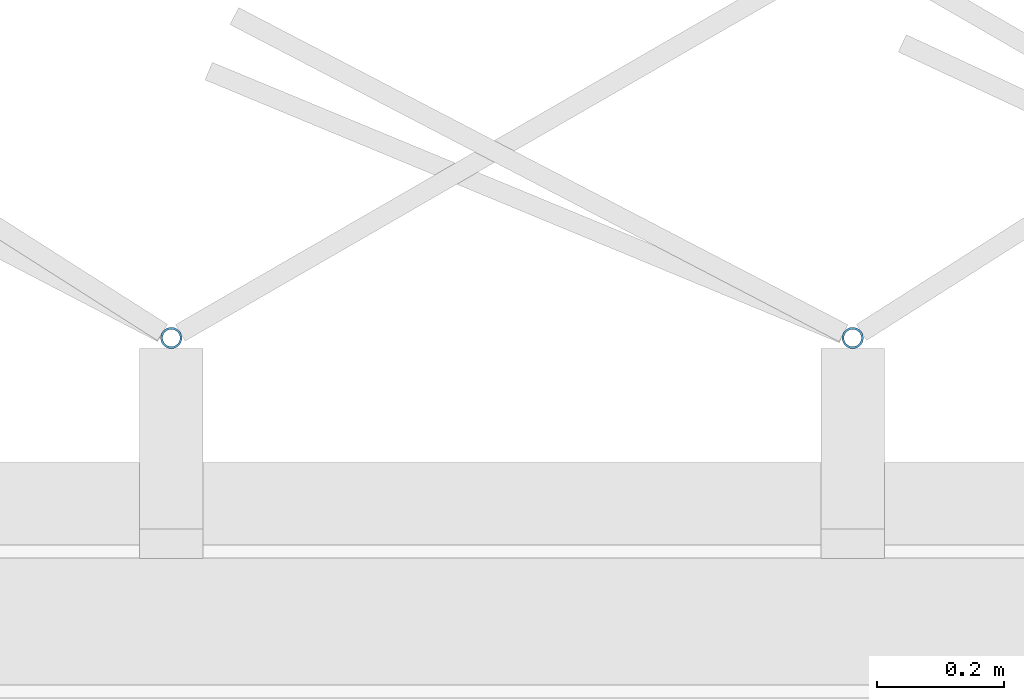
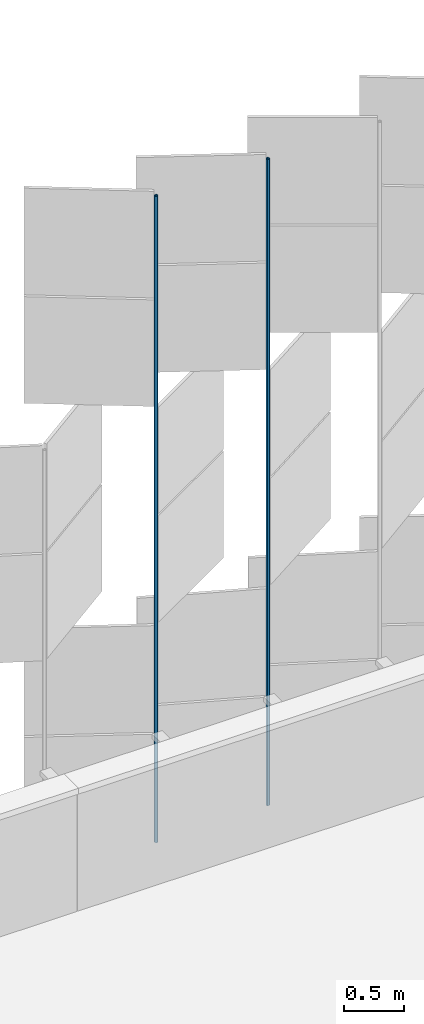
# One storey, part 366 of 483: 2 discrete accessories.
"""IFC4 building model written with IfcOpenShell, lengths in metres."""

from ifc_helpers import new_model, si_unit, direction, frame, origin, origin_2d, place, context, subcontext, project, spatial, hollow_circle, extrude, material, material_profile, profile_set, type_object, element, save


model = new_model("IFC4")

# Units and contexts
model_context = context("Model", 3, precision=1e-05, world=origin(), true_north=direction((0.0, 1.0)))
body_context = subcontext(model_context, "Body", "Model", "MODEL_VIEW")
ifc_project = project(units=[si_unit("LENGTHUNIT", "METRE"), si_unit("AREAUNIT", "SQUARE_METRE"), si_unit("VOLUMEUNIT", "CUBIC_METRE"), si_unit("PLANEANGLEUNIT", "RADIAN"), si_unit("MASSUNIT", "GRAM", prefix="KILO")], contexts=[model_context])

# Site, building, storey
site_placement = place(None, origin())
site = spatial("IfcSite", under=ifc_project, at=site_placement, CompositionType="ELEMENT")
building_placement = place(site_placement, origin())
building = spatial("IfcBuilding", under=site, at=building_placement, Name="Parallax Yard Mobility Hub", CompositionType="ELEMENT")
storey_placement = place(building_placement, frame((0.0, 0.0, 13.199951171875)))
storey = spatial("IfcBuildingStorey", under=building, at=storey_placement, Name="L04", CompositionType="ELEMENT", Elevation=13.199951171875)

# Discrete accessories
ifc_material = material(Name="Steel ASTM A500 Gr C, hot-dip galvanised", Category="steel")
ifc_material_profile = material_profile(ifc_material, hollow_circle(Radius=0.016845703125, WallThickness=0.003173828125, at=origin_2d()), Name="CHS 33.7x3.2")
ifc_profile_set = profile_set([ifc_material_profile], Name="Steel ASTM A500 Gr C, hot-dip galvanised")
discrete_accessory_type = type_object("IfcDiscreteAccessoryType", Name="Hinge post CHS 33.7x3.2", PredefinedType="BRACKET", material=ifc_profile_set)
for number, where, z_axis, x_axis, name in (
    (1, (144.641357421875, 142.800048828125, 0.0), (0.0, 0.0, 1.0), (1.0, 0.0, 0.0), "Hinge post bay 54.6 level L04"),
    (2, (143.56982421875, 142.800048828125, 0.0), (0.0, 0.0, 1.0), (1.0, 0.0, 0.0), "Hinge post bay 54.7 level L04"),
):
    element("IfcDiscreteAccessory", number, at=place(storey_placement, frame(where, z_axis=z_axis, x_axis=x_axis)), inside=storey, type_object=discrete_accessory_type, Name=name, PredefinedType="BRACKET", context=body_context, shape_type="SweptSolid", body=[
        extrude(hollow_circle(Radius=0.016845703125, WallThickness=0.003173828125, at=origin_2d()), origin(), (0.0, 0.0, 1.0), 6.550048828125),
    ])

save(model, "model.ifc")
